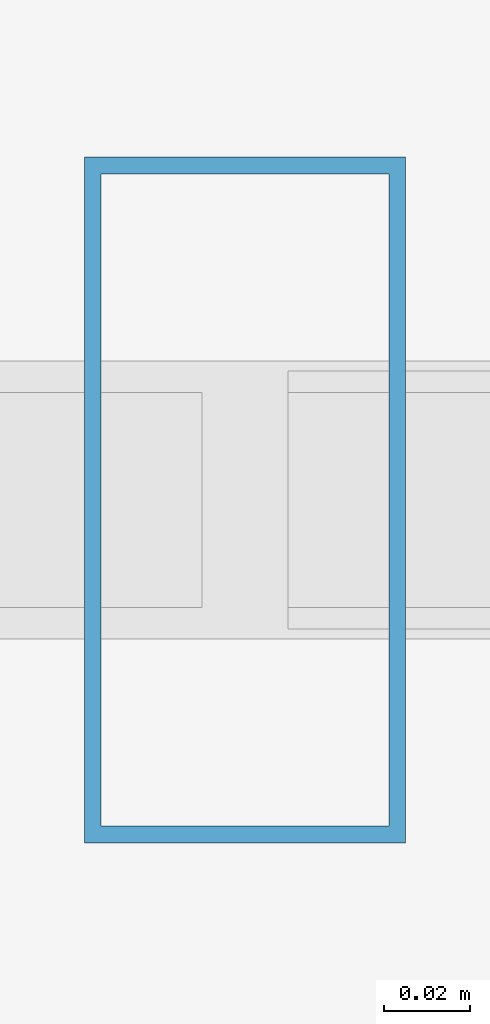
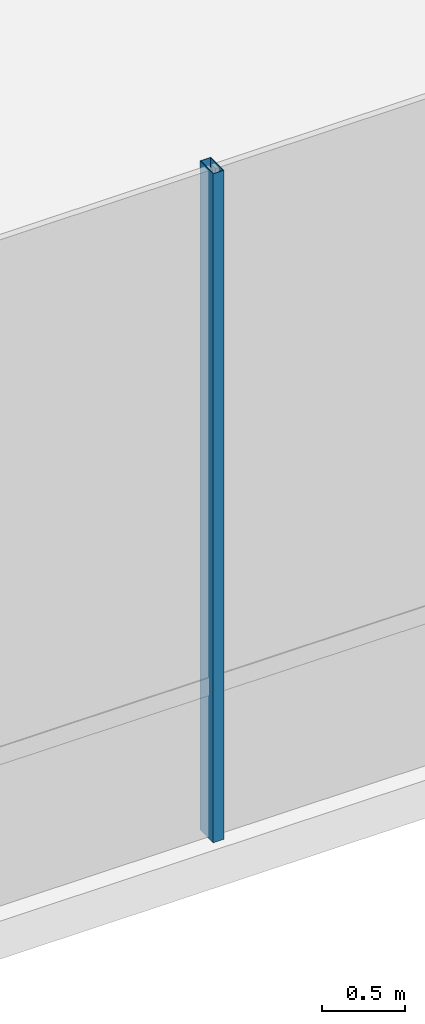
# One storey, part 8 of 39: 1 member, 1 element without a shape of its own.
"""IFC4 building model written with IfcOpenShell, lengths in metres."""

from ifc_helpers import new_model, si_unit, direction, frame, origin, origin_2d, place, context, subcontext, project, spatial, hollow_rectangle, extrude, source, transform, mapped, material, material_profile, profile_set, type_object, element, aggregate, save


model = new_model("IFC4")

# Units and contexts
model_context = context("Model", 3, precision=1e-05, world=origin(), true_north=direction((0.0, 1.0)))
body_context = subcontext(model_context, "Body", "Model", "MODEL_VIEW")
ifc_project = project(units=[si_unit("LENGTHUNIT", "METRE"), si_unit("AREAUNIT", "SQUARE_METRE"), si_unit("VOLUMEUNIT", "CUBIC_METRE"), si_unit("PLANEANGLEUNIT", "RADIAN"), si_unit("MASSUNIT", "GRAM", prefix="KILO")], contexts=[model_context])

# Site, building, storey
site_placement = place(None, origin())
site = spatial("IfcSite", under=ifc_project, at=site_placement, CompositionType="ELEMENT")
building_placement = place(site_placement, origin())
building = spatial("IfcBuilding", under=site, at=building_placement, Name="Valdorenza Pilgrim Sanctuary Tower", CompositionType="ELEMENT")
storey_placement = place(building_placement, frame((0.0, 0.0, 10.39990234375)))
storey = spatial("IfcBuildingStorey", under=building, at=storey_placement, Name="L02", CompositionType="ELEMENT", Elevation=10.39990234375)

# Curtain wall, member
ifc_material_1 = material(Name="Curtain-wall IGU glazing", Category="glass")
curtain_wall_type = type_object("IfcCurtainWallType", Name="CW-SYS-01", PredefinedType="NOTDEFINED", material=ifc_material_1)
curtain_wall_placement = place(storey_placement, origin())
curtain_wall = element("IfcCurtainWall", 1, at=curtain_wall_placement, inside=storey, type_object=curtain_wall_type, Name="L02 Curtain Wall CW-POD-L02-ARCH-BACK", PredefinedType="NOTDEFINED")
ifc_material_2 = material(Name="Anodised aluminium AW-6060", Category="aluminium")
ifc_material_profile = material_profile(ifc_material_2, hollow_rectangle(XDim=0.074951171875, YDim=0.159912109375, WallThickness=0.00390625, at=origin_2d()), Name="ALU-M 160x75x4")
ifc_profile_set = profile_set([ifc_material_profile], Name="Anodised aluminium AW-6060")
member_type = type_object("IfcMemberType", Name="CW-MUL-01", PredefinedType="MULLION", material=ifc_profile_set)
shared_shape = source(origin(), body_context, "Body", "SweptSolid", [
    extrude(hollow_rectangle(XDim=0.074951171875, YDim=0.159912109375, WallThickness=0.00390625, at=origin_2d()), origin(), (0.0, 0.0, 1.0), 4.920166015625),
])
member_placement = place(storey_placement, frame((0.0, -5.85009765625, 0.0), z_axis=(0.0, 0.0, 1.0), x_axis=(1.0, 0.0, 0.0)))
member = element("IfcMember", 2, at=member_placement, type_object=member_type, Name="CW-POD-L02-ARCH-BACK Mullion 3", PredefinedType="MULLION", context=body_context, shape_type="MappedRepresentation", body=[
    mapped(shared_shape, transform((0.0, 0.0, 0.0), x_axis=(1.0, 0.0, 0.0), y_axis=(0.0, 1.0, 0.0), z_axis=(0.0, 0.0, 1.0), scale=1.0)),
])
aggregate(curtain_wall, [member])

save(model, "model.ifc")
